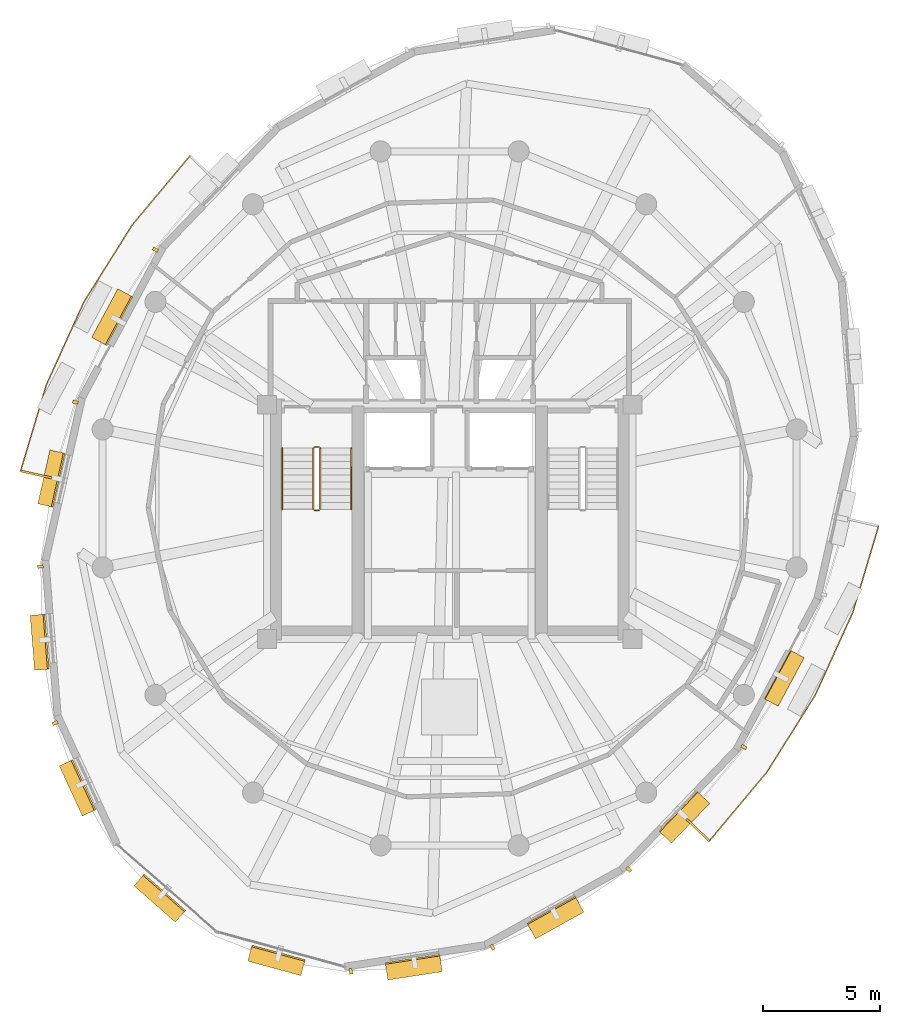
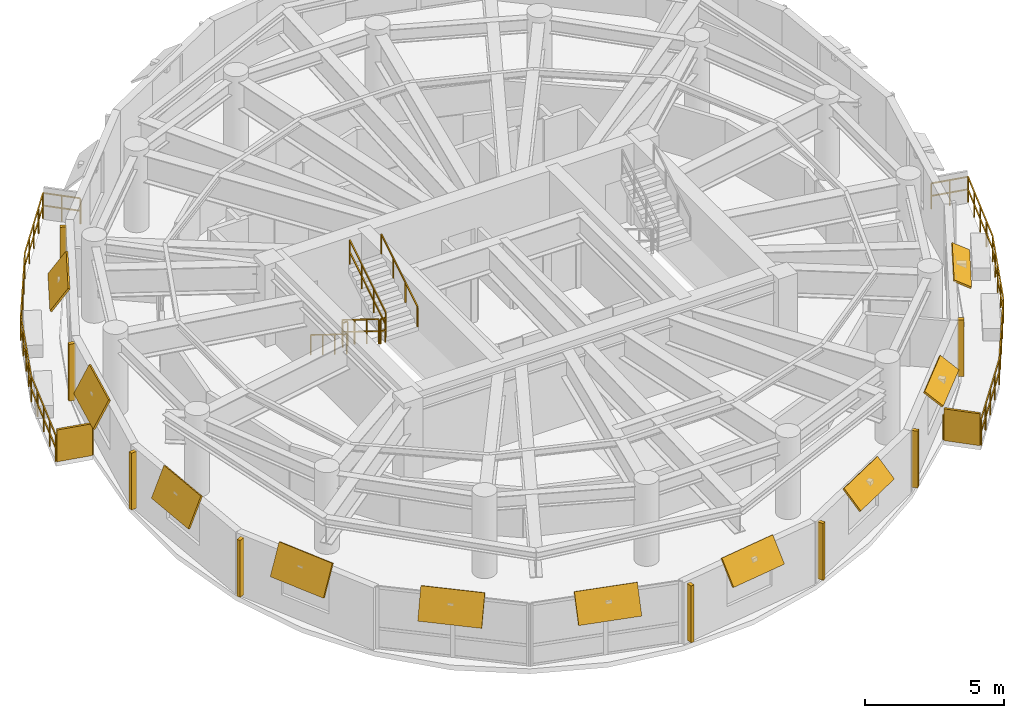
# One storey, part 10 of 11: 20 shading devices, 8 railings.
"""IFC4 building model written with IfcOpenShell, lengths in metres."""

from ifc_helpers import new_model, si_unit, direction, frame, origin, origin_2d, place, context, subcontext, project, spatial, rectangle, extrude, material, layer, layer_set, type_object, element, save


model = new_model("IFC4")

# Units and contexts
model_context = context("Model", 3, precision=1e-05, world=origin(), true_north=direction((0.0, 1.0)))
body_context = subcontext(model_context, "Body", "Model", "MODEL_VIEW")
ifc_project = project(units=[si_unit("LENGTHUNIT", "METRE"), si_unit("AREAUNIT", "SQUARE_METRE"), si_unit("VOLUMEUNIT", "CUBIC_METRE"), si_unit("PLANEANGLEUNIT", "RADIAN"), si_unit("MASSUNIT", "GRAM", prefix="KILO"), si_unit("THERMODYNAMICTEMPERATUREUNIT", "KELVIN"), si_unit("POWERUNIT", "WATT")], contexts=[model_context])

# Site, building, storey
site_placement = place(None, origin())
site = spatial("IfcSite", under=ifc_project, at=site_placement, CompositionType="ELEMENT")
building_placement = place(site_placement, origin())
building = spatial("IfcBuilding", under=site, at=building_placement, Name="Ocrelia Relay Tower", CompositionType="ELEMENT")
storey_placement = place(building_placement, frame((0.0, 0.0, 284.39990234375)))
storey = spatial("IfcBuildingStorey", under=building, at=storey_placement, Name="L71", CompositionType="ELEMENT", Elevation=284.39990234375)

# Railings
ifc_material_1 = material(Name="Steel S355 balustrade", Category="steel")
railing_type_1 = type_object("IfcRailingType", Name="RL-EXT-GUARD-1150", PredefinedType="GUARDRAIL", material=ifc_material_1)
railing_1_placement = place(storey_placement, frame((17.0458984375, 26.869140625, 0.0)))
element("IfcRailing", 1, at=railing_1_placement, inside=storey, type_object=railing_type_1, Name="L71 Loggia Balcony Guard Rail B1", PredefinedType="GUARDRAIL", context=body_context, shape_type="SweptSolid", body=[
    extrude(rectangle(XDim=0.048095703125, YDim=0.048095703125, at=origin_2d()), frame((0.0, 0.0, 1.1259765625), z_axis=(-0.976030129499, 0.217635443597, 0.0), x_axis=(-0.217635443597, -0.976030129499, 0.0)), (0.0, 0.0, 1.0), 1.393310546875),
    extrude(rectangle(XDim=0.048095703125, YDim=0.048095703125, at=origin_2d()), frame((0.0, 0.0, 0.574951171875), z_axis=(-0.976030129499, 0.217635443597, 0.0), x_axis=(-0.217635443597, -0.976030129499, 0.0)), (0.0, 0.0, 1.0), 1.393310546875),
    extrude(rectangle(XDim=0.048095703125, YDim=0.048095703125, at=origin_2d()), frame((-1.35986328125, 0.30322265625, 1.1259765625), z_axis=(0.285866555525, 0.95826943624, 0.0), x_axis=(-0.95826943624, 0.285866555525, 0.0)), (0.0, 0.0, 1.0), 1.920654296875),
    extrude(rectangle(XDim=0.048095703125, YDim=0.048095703125, at=origin_2d()), frame((-1.35986328125, 0.30322265625, 0.574951171875), z_axis=(0.285866555525, 0.95826943624, 0.0), x_axis=(-0.95826943624, 0.285866555525, 0.0)), (0.0, 0.0, 1.0), 1.920654296875),
    extrude(rectangle(XDim=0.048095703125, YDim=0.048095703125, at=origin_2d()), frame((-0.810791015625, 2.143798828125, 1.1259765625), z_axis=(0.285866555525, 0.95826943624, 0.0), x_axis=(-0.95826943624, 0.285866555525, 0.0)), (0.0, 0.0, 1.0), 1.920654296875),
    extrude(rectangle(XDim=0.048095703125, YDim=0.048095703125, at=origin_2d()), frame((-0.810791015625, 2.143798828125, 0.574951171875), z_axis=(0.285866555525, 0.95826943624, 0.0), x_axis=(-0.95826943624, 0.285866555525, 0.0)), (0.0, 0.0, 1.0), 1.920654296875),
    extrude(rectangle(XDim=0.048095703125, YDim=0.048095703125, at=origin_2d()), frame((-0.26171875, 3.984375, 1.1259765625), z_axis=(0.413082558382, 0.910693581816, 0.0), x_axis=(-0.910693581816, 0.413082558382, 0.0)), (0.0, 0.0, 1.0), 3.8818359375),
    extrude(rectangle(XDim=0.048095703125, YDim=0.048095703125, at=origin_2d()), frame((-0.26171875, 3.984375, 0.574951171875), z_axis=(0.413082558382, 0.910693581816, 0.0), x_axis=(-0.910693581816, 0.413082558382, 0.0)), (0.0, 0.0, 1.0), 3.8818359375),
    extrude(rectangle(XDim=0.048095703125, YDim=0.048095703125, at=origin_2d()), frame((1.341796875, 7.51953125, 1.1259765625), z_axis=(0.531411438322, 0.847113854934, 0.0), x_axis=(-0.847113854934, 0.531411438322, 0.0)), (0.0, 0.0, 1.0), 3.882080078125),
    extrude(rectangle(XDim=0.048095703125, YDim=0.048095703125, at=origin_2d()), frame((1.341796875, 7.51953125, 0.574951171875), z_axis=(0.531411438322, 0.847113854934, 0.0), x_axis=(-0.847113854934, 0.531411438322, 0.0)), (0.0, 0.0, 1.0), 3.882080078125),
    extrude(rectangle(XDim=0.048095703125, YDim=0.048095703125, at=origin_2d()), frame((3.40478515625, 10.80810546875, 1.1259765625), z_axis=(0.641309017462, 0.767282701566, 0.0), x_axis=(-0.767282701566, 0.641309017462, 0.0)), (0.0, 0.0, 1.0), 1.920654296875),
    extrude(rectangle(XDim=0.048095703125, YDim=0.048095703125, at=origin_2d()), frame((3.40478515625, 10.80810546875, 0.574951171875), z_axis=(0.641309017462, 0.767282701566, 0.0), x_axis=(-0.767282701566, 0.641309017462, 0.0)), (0.0, 0.0, 1.0), 1.920654296875),
    extrude(rectangle(XDim=0.048095703125, YDim=0.048095703125, at=origin_2d()), frame((4.636474609375, 12.28173828125, 1.1259765625), z_axis=(0.641321302054, 0.76727243371, 0.0), x_axis=(-0.76727243371, 0.641321302054, 0.0)), (0.0, 0.0, 1.0), 1.9208984375),
    extrude(rectangle(XDim=0.048095703125, YDim=0.048095703125, at=origin_2d()), frame((4.636474609375, 12.28173828125, 0.574951171875), z_axis=(0.641321302054, 0.76727243371, 0.0), x_axis=(-0.76727243371, 0.641321302054, 0.0)), (0.0, 0.0, 1.0), 1.9208984375),
    extrude(rectangle(XDim=0.048095703125, YDim=0.048095703125, at=origin_2d()), frame((5.868408203125, 13.755615234375, 1.1259765625), z_axis=(0.720125642555, -0.693843684798, 0.0), x_axis=(0.693843684798, 0.720125642555, 0.0)), (0.0, 0.0, 1.0), 1.393310546875),
    extrude(rectangle(XDim=0.048095703125, YDim=0.048095703125, at=origin_2d()), frame((5.868408203125, 13.755615234375, 0.574951171875), z_axis=(0.720125642555, -0.693843684798, 0.0), x_axis=(0.693843684798, 0.720125642555, 0.0)), (0.0, 0.0, 1.0), 1.393310546875),
    extrude(rectangle(XDim=0.0419921875, YDim=0.0419921875, at=origin_2d()), origin(), (0.0, 0.0, 1.0), 1.101806640625),
    extrude(rectangle(XDim=0.0419921875, YDim=0.0419921875, at=origin_2d()), frame((-0.679931640625, 0.151611328125, 0.0)), (0.0, 0.0, 1.0), 1.101806640625),
    extrude(rectangle(XDim=0.0419921875, YDim=0.0419921875, at=origin_2d()), frame((-1.35986328125, 0.30322265625, 0.0)), (0.0, 0.0, 1.0), 1.101806640625),
    extrude(rectangle(XDim=0.0419921875, YDim=0.0419921875, at=origin_2d()), frame((-1.08544921875, 1.2236328125, 0.0)), (0.0, 0.0, 1.0), 1.101806640625),
    extrude(rectangle(XDim=0.0419921875, YDim=0.0419921875, at=origin_2d()), frame((-0.810791015625, 2.143798828125, 0.0)), (0.0, 0.0, 1.0), 1.101806640625),
    extrude(rectangle(XDim=0.0419921875, YDim=0.0419921875, at=origin_2d()), frame((-0.5361328125, 3.06396484375, 0.0)), (0.0, 0.0, 1.0), 1.101806640625),
    extrude(rectangle(XDim=0.0419921875, YDim=0.0419921875, at=origin_2d()), frame((-0.26171875, 3.984375, 0.0)), (0.0, 0.0, 1.0), 1.101806640625),
    extrude(rectangle(XDim=0.0419921875, YDim=0.0419921875, at=origin_2d()), frame((0.13916015625, 4.8681640625, 0.0)), (0.0, 0.0, 1.0), 1.101806640625),
    extrude(rectangle(XDim=0.0419921875, YDim=0.0419921875, at=origin_2d()), frame((0.5400390625, 5.751953125, 0.0)), (0.0, 0.0, 1.0), 1.101806640625),
    extrude(rectangle(XDim=0.0419921875, YDim=0.0419921875, at=origin_2d()), frame((0.94091796875, 6.6357421875, 0.0)), (0.0, 0.0, 1.0), 1.101806640625),
    extrude(rectangle(XDim=0.0419921875, YDim=0.0419921875, at=origin_2d()), frame((1.341796875, 7.51953125, 0.0)), (0.0, 0.0, 1.0), 1.101806640625),
    extrude(rectangle(XDim=0.0419921875, YDim=0.0419921875, at=origin_2d()), frame((1.857421875, 8.341796875, 0.0)), (0.0, 0.0, 1.0), 1.101806640625),
    extrude(rectangle(XDim=0.0419921875, YDim=0.0419921875, at=origin_2d()), frame((2.373291015625, 9.163818359375, 0.0)), (0.0, 0.0, 1.0), 1.101806640625),
    extrude(rectangle(XDim=0.0419921875, YDim=0.0419921875, at=origin_2d()), frame((2.88916015625, 9.98583984375, 0.0)), (0.0, 0.0, 1.0), 1.101806640625),
    extrude(rectangle(XDim=0.0419921875, YDim=0.0419921875, at=origin_2d()), frame((3.40478515625, 10.80810546875, 0.0)), (0.0, 0.0, 1.0), 1.101806640625),
    extrude(rectangle(XDim=0.0419921875, YDim=0.0419921875, at=origin_2d()), frame((4.0205078125, 11.544921875, 0.0)), (0.0, 0.0, 1.0), 1.101806640625),
    extrude(rectangle(XDim=0.0419921875, YDim=0.0419921875, at=origin_2d()), frame((4.636474609375, 12.28173828125, 0.0)), (0.0, 0.0, 1.0), 1.101806640625),
    extrude(rectangle(XDim=0.0419921875, YDim=0.0419921875, at=origin_2d()), frame((5.25244140625, 13.0185546875, 0.0)), (0.0, 0.0, 1.0), 1.101806640625),
    extrude(rectangle(XDim=0.0419921875, YDim=0.0419921875, at=origin_2d()), frame((5.868408203125, 13.755615234375, 0.0)), (0.0, 0.0, 1.0), 1.101806640625),
    extrude(rectangle(XDim=0.0419921875, YDim=0.0419921875, at=origin_2d()), frame((6.3701171875, 13.272216796875, 0.0)), (0.0, 0.0, 1.0), 1.101806640625),
    extrude(rectangle(XDim=0.0419921875, YDim=0.0419921875, at=origin_2d()), frame((6.871826171875, 12.788818359375, 0.0)), (0.0, 0.0, 1.0), 1.101806640625),
])
railing_2_placement = place(storey_placement, frame((50.9541015625, 25.130859375, 0.0)))
element("IfcRailing", 2, at=railing_2_placement, inside=storey, type_object=railing_type_1, Name="L71 Loggia Balcony Guard Rail B2", PredefinedType="GUARDRAIL", context=body_context, shape_type="SweptSolid", body=[
    extrude(rectangle(XDim=0.048095703125, YDim=0.048095703125, at=origin_2d()), frame((0.0, 0.0, 1.1259765625), z_axis=(0.976030129499, -0.217635443597, 0.0), x_axis=(0.217635443597, 0.976030129499, 0.0)), (0.0, 0.0, 1.0), 1.393310546875),
    extrude(rectangle(XDim=0.048095703125, YDim=0.048095703125, at=origin_2d()), frame((0.0, 0.0, 0.574951171875), z_axis=(0.976030129499, -0.217635443597, 0.0), x_axis=(0.217635443597, 0.976030129499, 0.0)), (0.0, 0.0, 1.0), 1.393310546875),
    extrude(rectangle(XDim=0.048095703125, YDim=0.048095703125, at=origin_2d()), frame((1.35986328125, -0.30322265625, 1.1259765625), z_axis=(-0.285866555525, -0.95826943624, 0.0), x_axis=(0.95826943624, -0.285866555525, 0.0)), (0.0, 0.0, 1.0), 1.920654296875),
    extrude(rectangle(XDim=0.048095703125, YDim=0.048095703125, at=origin_2d()), frame((1.35986328125, -0.30322265625, 0.574951171875), z_axis=(-0.285866555525, -0.95826943624, 0.0), x_axis=(0.95826943624, -0.285866555525, 0.0)), (0.0, 0.0, 1.0), 1.920654296875),
    extrude(rectangle(XDim=0.048095703125, YDim=0.048095703125, at=origin_2d()), frame((0.810791015625, -2.143798828125, 1.1259765625), z_axis=(-0.285866555525, -0.95826943624, 0.0), x_axis=(0.95826943624, -0.285866555525, 0.0)), (0.0, 0.0, 1.0), 1.920654296875),
    extrude(rectangle(XDim=0.048095703125, YDim=0.048095703125, at=origin_2d()), frame((0.810791015625, -2.143798828125, 0.574951171875), z_axis=(-0.285866555525, -0.95826943624, 0.0), x_axis=(0.95826943624, -0.285866555525, 0.0)), (0.0, 0.0, 1.0), 1.920654296875),
    extrude(rectangle(XDim=0.048095703125, YDim=0.048095703125, at=origin_2d()), frame((0.26171875, -3.984375, 1.1259765625), z_axis=(-0.413082558382, -0.910693581816, 0.0), x_axis=(0.910693581816, -0.413082558382, 0.0)), (0.0, 0.0, 1.0), 3.8818359375),
    extrude(rectangle(XDim=0.048095703125, YDim=0.048095703125, at=origin_2d()), frame((0.26171875, -3.984375, 0.574951171875), z_axis=(-0.413082558382, -0.910693581816, 0.0), x_axis=(0.910693581816, -0.413082558382, 0.0)), (0.0, 0.0, 1.0), 3.8818359375),
    extrude(rectangle(XDim=0.048095703125, YDim=0.048095703125, at=origin_2d()), frame((-1.341796875, -7.51953125, 1.1259765625), z_axis=(-0.531411438322, -0.847113854934, 0.0), x_axis=(0.847113854934, -0.531411438322, 0.0)), (0.0, 0.0, 1.0), 3.882080078125),
    extrude(rectangle(XDim=0.048095703125, YDim=0.048095703125, at=origin_2d()), frame((-1.341796875, -7.51953125, 0.574951171875), z_axis=(-0.531411438322, -0.847113854934, 0.0), x_axis=(0.847113854934, -0.531411438322, 0.0)), (0.0, 0.0, 1.0), 3.882080078125),
    extrude(rectangle(XDim=0.048095703125, YDim=0.048095703125, at=origin_2d()), frame((-3.40478515625, -10.80810546875, 1.1259765625), z_axis=(-0.641309017462, -0.767282701566, 0.0), x_axis=(0.767282701566, -0.641309017462, 0.0)), (0.0, 0.0, 1.0), 1.920654296875),
    extrude(rectangle(XDim=0.048095703125, YDim=0.048095703125, at=origin_2d()), frame((-3.40478515625, -10.80810546875, 0.574951171875), z_axis=(-0.641309017462, -0.767282701566, 0.0), x_axis=(0.767282701566, -0.641309017462, 0.0)), (0.0, 0.0, 1.0), 1.920654296875),
    extrude(rectangle(XDim=0.048095703125, YDim=0.048095703125, at=origin_2d()), frame((-4.636474609375, -12.28173828125, 1.1259765625), z_axis=(-0.641321302054, -0.76727243371, 0.0), x_axis=(0.76727243371, -0.641321302054, 0.0)), (0.0, 0.0, 1.0), 1.9208984375),
    extrude(rectangle(XDim=0.048095703125, YDim=0.048095703125, at=origin_2d()), frame((-4.636474609375, -12.28173828125, 0.574951171875), z_axis=(-0.641321302054, -0.76727243371, 0.0), x_axis=(0.76727243371, -0.641321302054, 0.0)), (0.0, 0.0, 1.0), 1.9208984375),
    extrude(rectangle(XDim=0.048095703125, YDim=0.048095703125, at=origin_2d()), frame((-5.868408203125, -13.755615234375, 1.1259765625), z_axis=(-0.720125642555, 0.693843684798, 0.0), x_axis=(-0.693843684798, -0.720125642555, 0.0)), (0.0, 0.0, 1.0), 1.393310546875),
    extrude(rectangle(XDim=0.048095703125, YDim=0.048095703125, at=origin_2d()), frame((-5.868408203125, -13.755615234375, 0.574951171875), z_axis=(-0.720125642555, 0.693843684798, 0.0), x_axis=(-0.693843684798, -0.720125642555, 0.0)), (0.0, 0.0, 1.0), 1.393310546875),
    extrude(rectangle(XDim=0.0419921875, YDim=0.0419921875, at=origin_2d()), origin(), (0.0, 0.0, 1.0), 1.101806640625),
    extrude(rectangle(XDim=0.0419921875, YDim=0.0419921875, at=origin_2d()), frame((0.679931640625, -0.151611328125, 0.0)), (0.0, 0.0, 1.0), 1.101806640625),
    extrude(rectangle(XDim=0.0419921875, YDim=0.0419921875, at=origin_2d()), frame((1.35986328125, -0.30322265625, 0.0)), (0.0, 0.0, 1.0), 1.101806640625),
    extrude(rectangle(XDim=0.0419921875, YDim=0.0419921875, at=origin_2d()), frame((1.08544921875, -1.2236328125, 0.0)), (0.0, 0.0, 1.0), 1.101806640625),
    extrude(rectangle(XDim=0.0419921875, YDim=0.0419921875, at=origin_2d()), frame((0.810791015625, -2.143798828125, 0.0)), (0.0, 0.0, 1.0), 1.101806640625),
    extrude(rectangle(XDim=0.0419921875, YDim=0.0419921875, at=origin_2d()), frame((0.5361328125, -3.06396484375, 0.0)), (0.0, 0.0, 1.0), 1.101806640625),
    extrude(rectangle(XDim=0.0419921875, YDim=0.0419921875, at=origin_2d()), frame((0.26171875, -3.984375, 0.0)), (0.0, 0.0, 1.0), 1.101806640625),
    extrude(rectangle(XDim=0.0419921875, YDim=0.0419921875, at=origin_2d()), frame((-0.13916015625, -4.8681640625, 0.0)), (0.0, 0.0, 1.0), 1.101806640625),
    extrude(rectangle(XDim=0.0419921875, YDim=0.0419921875, at=origin_2d()), frame((-0.5400390625, -5.751953125, 0.0)), (0.0, 0.0, 1.0), 1.101806640625),
    extrude(rectangle(XDim=0.0419921875, YDim=0.0419921875, at=origin_2d()), frame((-0.94091796875, -6.6357421875, 0.0)), (0.0, 0.0, 1.0), 1.101806640625),
    extrude(rectangle(XDim=0.0419921875, YDim=0.0419921875, at=origin_2d()), frame((-1.341796875, -7.51953125, 0.0)), (0.0, 0.0, 1.0), 1.101806640625),
    extrude(rectangle(XDim=0.0419921875, YDim=0.0419921875, at=origin_2d()), frame((-1.857421875, -8.341796875, 0.0)), (0.0, 0.0, 1.0), 1.101806640625),
    extrude(rectangle(XDim=0.0419921875, YDim=0.0419921875, at=origin_2d()), frame((-2.373291015625, -9.163818359375, 0.0)), (0.0, 0.0, 1.0), 1.101806640625),
    extrude(rectangle(XDim=0.0419921875, YDim=0.0419921875, at=origin_2d()), frame((-2.88916015625, -9.98583984375, 0.0)), (0.0, 0.0, 1.0), 1.101806640625),
    extrude(rectangle(XDim=0.0419921875, YDim=0.0419921875, at=origin_2d()), frame((-3.40478515625, -10.80810546875, 0.0)), (0.0, 0.0, 1.0), 1.101806640625),
    extrude(rectangle(XDim=0.0419921875, YDim=0.0419921875, at=origin_2d()), frame((-4.0205078125, -11.544921875, 0.0)), (0.0, 0.0, 1.0), 1.101806640625),
    extrude(rectangle(XDim=0.0419921875, YDim=0.0419921875, at=origin_2d()), frame((-4.636474609375, -12.28173828125, 0.0)), (0.0, 0.0, 1.0), 1.101806640625),
    extrude(rectangle(XDim=0.0419921875, YDim=0.0419921875, at=origin_2d()), frame((-5.25244140625, -13.0185546875, 0.0)), (0.0, 0.0, 1.0), 1.101806640625),
    extrude(rectangle(XDim=0.0419921875, YDim=0.0419921875, at=origin_2d()), frame((-5.868408203125, -13.755615234375, 0.0)), (0.0, 0.0, 1.0), 1.101806640625),
    extrude(rectangle(XDim=0.0419921875, YDim=0.0419921875, at=origin_2d()), frame((-6.3701171875, -13.272216796875, 0.0)), (0.0, 0.0, 1.0), 1.101806640625),
    extrude(rectangle(XDim=0.0419921875, YDim=0.0419921875, at=origin_2d()), frame((-6.871826171875, -12.788818359375, 0.0)), (0.0, 0.0, 1.0), 1.101806640625),
])
railing_type_2 = type_object("IfcRailingType", Name="RL-STAIR-GUARD", PredefinedType="GUARDRAIL", material=ifc_material_1)
railing_3_placement = place(storey_placement, frame((28.179931640625, 28.14990234375, 0.18017578125)))
element("IfcRailing", 3, at=railing_3_placement, inside=storey, type_object=railing_type_2, Name="L71 ST1 stair guard 1", PredefinedType="GUARDRAIL", context=body_context, shape_type="SweptSolid", body=[
    extrude(rectangle(XDim=0.048095703125, YDim=0.048095703125, at=origin_2d()), frame((0.0, 0.0, 1.076171875), z_axis=(0.0, -0.849646306263, 0.527352969322), x_axis=(1.0, 0.0, 0.0)), (0.0, 0.0, 1.0), 3.07177734375),
    extrude(rectangle(XDim=0.048095703125, YDim=0.048095703125, at=origin_2d()), frame((0.0, 0.0, 0.550048828125), z_axis=(0.0, -0.849646306263, 0.527352969322), x_axis=(1.0, 0.0, 0.0)), (0.0, 0.0, 1.0), 3.07177734375),
    extrude(rectangle(XDim=0.0419921875, YDim=0.0419921875, at=origin_2d()), origin(), (0.0, 0.0, 1.0), 1.052001953125),
    extrude(rectangle(XDim=0.0419921875, YDim=0.0419921875, at=origin_2d()), frame((0.0, -0.869873046875, 0.5400390625)), (0.0, 0.0, 1.0), 1.052001953125),
    extrude(rectangle(XDim=0.0419921875, YDim=0.0419921875, at=origin_2d()), frame((0.0, -1.739990234375, 1.079833984375)), (0.0, 0.0, 1.0), 1.052001953125),
    extrude(rectangle(XDim=0.0419921875, YDim=0.0419921875, at=origin_2d()), frame((0.0, -2.60986328125, 1.619873046875)), (0.0, 0.0, 1.0), 1.052001953125),
])
railing_4_placement = place(storey_placement, frame((28.22998046875, 25.489990234375, 1.800048828125)))
element("IfcRailing", 4, at=railing_4_placement, inside=storey, type_object=railing_type_2, Name="L71 ST1 stair guard 2", PredefinedType="GUARDRAIL", context=body_context, shape_type="SweptSolid", body=[
    extrude(rectangle(XDim=0.048095703125, YDim=0.048095703125, at=origin_2d()), frame((0.0, 0.0, 1.076171875), z_axis=(1.0, 0.0, 0.0), x_axis=(0.0, 1.0, 0.0)), (0.0, 0.0, 1.0), 0.199951171875),
    extrude(rectangle(XDim=0.048095703125, YDim=0.048095703125, at=origin_2d()), frame((0.0, 0.0, 0.550048828125), z_axis=(1.0, 0.0, 0.0), x_axis=(0.0, 1.0, 0.0)), (0.0, 0.0, 1.0), 0.199951171875),
    extrude(rectangle(XDim=0.0419921875, YDim=0.0419921875, at=origin_2d()), origin(), (0.0, 0.0, 1.0), 1.052001953125),
    extrude(rectangle(XDim=0.0419921875, YDim=0.0419921875, at=origin_2d()), frame((0.199951171875, 0.0, 0.0)), (0.0, 0.0, 1.0), 1.052001953125),
])
railing_5_placement = place(storey_placement, frame((28.47998046875, 25.5400390625, 1.97998046875)))
element("IfcRailing", 5, at=railing_5_placement, inside=storey, type_object=railing_type_2, Name="L71 ST1 stair guard 3", PredefinedType="GUARDRAIL", context=body_context, shape_type="SweptSolid", body=[
    extrude(rectangle(XDim=0.048095703125, YDim=0.048095703125, at=origin_2d()), frame((0.0, 0.0, 1.076171875), z_axis=(0.0, 0.849610693518, 0.52741034258), x_axis=(-1.0, 0.0, 0.0)), (0.0, 0.0, 1.0), 3.07177734375),
    extrude(rectangle(XDim=0.048095703125, YDim=0.048095703125, at=origin_2d()), frame((0.0, 0.0, 0.550048828125), z_axis=(0.0, 0.849610693518, 0.52741034258), x_axis=(-1.0, 0.0, 0.0)), (0.0, 0.0, 1.0), 3.07177734375),
    extrude(rectangle(XDim=0.0419921875, YDim=0.0419921875, at=origin_2d()), origin(), (0.0, 0.0, 1.0), 1.052001953125),
    extrude(rectangle(XDim=0.0419921875, YDim=0.0419921875, at=origin_2d()), frame((0.0, 0.869873046875, 0.5400390625)), (0.0, 0.0, 1.0), 1.052001953125),
    extrude(rectangle(XDim=0.0419921875, YDim=0.0419921875, at=origin_2d()), frame((0.0, 1.739990234375, 1.080078125)), (0.0, 0.0, 1.0), 1.052001953125),
    extrude(rectangle(XDim=0.0419921875, YDim=0.0419921875, at=origin_2d()), frame((0.0, 2.60986328125, 1.6201171875)), (0.0, 0.0, 1.0), 1.052001953125),
])
railing_6_placement = place(storey_placement, frame((28.22998046875, 28.199951171875, 0.0)))
element("IfcRailing", 6, at=railing_6_placement, inside=storey, type_object=railing_type_2, Name="L71 ST1 stair guard 4", PredefinedType="GUARDRAIL", context=body_context, shape_type="SweptSolid", body=[
    extrude(rectangle(XDim=0.048095703125, YDim=0.048095703125, at=origin_2d()), frame((0.0, 0.0, 1.076171875), z_axis=(1.0, 0.0, 0.0), x_axis=(0.0, 1.0, 0.0)), (0.0, 0.0, 1.0), 0.199951171875),
    extrude(rectangle(XDim=0.048095703125, YDim=0.048095703125, at=origin_2d()), frame((0.0, 0.0, 0.550048828125), z_axis=(1.0, 0.0, 0.0), x_axis=(0.0, 1.0, 0.0)), (0.0, 0.0, 1.0), 0.199951171875),
    extrude(rectangle(XDim=0.0419921875, YDim=0.0419921875, at=origin_2d()), origin(), (0.0, 0.0, 1.0), 1.052001953125),
    extrude(rectangle(XDim=0.0419921875, YDim=0.0419921875, at=origin_2d()), frame((0.199951171875, 0.0, 0.0)), (0.0, 0.0, 1.0), 1.052001953125),
])
ifc_material_2 = material(Name="Steel S355 tubular handrail", Category="steel")
railing_type_3 = type_object("IfcRailingType", Name="RL-STAIR-HAND", PredefinedType="HANDRAIL", material=ifc_material_2)
railing_7_placement = place(storey_placement, frame((26.860107421875, 28.14990234375, 0.18017578125)))
element("IfcRailing", 7, at=railing_7_placement, inside=storey, type_object=railing_type_3, Name="L71 ST1 stair handrail 1", PredefinedType="HANDRAIL", context=body_context, shape_type="SweptSolid", body=[
    extrude(rectangle(XDim=0.048095703125, YDim=0.048095703125, at=origin_2d()), frame((0.0, 0.0, 0.8759765625), z_axis=(0.0, -0.849646306263, 0.527352969322), x_axis=(1.0, 0.0, 0.0)), (0.0, 0.0, 1.0), 3.07177734375),
    extrude(rectangle(XDim=0.0419921875, YDim=0.0419921875, at=origin_2d()), origin(), (0.0, 0.0, 1.0), 0.851806640625),
    extrude(rectangle(XDim=0.0419921875, YDim=0.0419921875, at=origin_2d()), frame((0.0, -0.869873046875, 0.5400390625)), (0.0, 0.0, 1.0), 0.851806640625),
    extrude(rectangle(XDim=0.0419921875, YDim=0.0419921875, at=origin_2d()), frame((0.0, -1.739990234375, 1.079833984375)), (0.0, 0.0, 1.0), 0.851806640625),
    extrude(rectangle(XDim=0.0419921875, YDim=0.0419921875, at=origin_2d()), frame((0.0, -2.60986328125, 1.619873046875)), (0.0, 0.0, 1.0), 0.851806640625),
])
railing_8_placement = place(storey_placement, frame((29.800048828125, 25.5400390625, 1.97998046875)))
element("IfcRailing", 8, at=railing_8_placement, inside=storey, type_object=railing_type_3, Name="L71 ST1 stair handrail 2", PredefinedType="HANDRAIL", context=body_context, shape_type="SweptSolid", body=[
    extrude(rectangle(XDim=0.048095703125, YDim=0.048095703125, at=origin_2d()), frame((0.0, 0.0, 0.8759765625), z_axis=(0.0, 0.849610693518, 0.52741034258), x_axis=(-1.0, 0.0, 0.0)), (0.0, 0.0, 1.0), 3.07177734375),
    extrude(rectangle(XDim=0.0419921875, YDim=0.0419921875, at=origin_2d()), origin(), (0.0, 0.0, 1.0), 0.851806640625),
    extrude(rectangle(XDim=0.0419921875, YDim=0.0419921875, at=origin_2d()), frame((0.0, 0.869873046875, 0.5400390625)), (0.0, 0.0, 1.0), 0.851806640625),
    extrude(rectangle(XDim=0.0419921875, YDim=0.0419921875, at=origin_2d()), frame((0.0, 1.739990234375, 1.080078125)), (0.0, 0.0, 1.0), 0.851806640625),
    extrude(rectangle(XDim=0.0419921875, YDim=0.0419921875, at=origin_2d()), frame((0.0, 2.60986328125, 1.6201171875)), (0.0, 0.0, 1.0), 0.851806640625),
])

# Shading devices
ifc_material_3 = material(Name="Perforated oxide terracotta solar screen", Category="masonry")
ifc_layer_1 = layer(ifc_material_3, 0.090087890625, Name="Perforated oxide terracotta solar screen")
ifc_layer_set_1 = layer_set([ifc_layer_1], Name="Perforated oxide terracotta solar screen")
shading_device_type_1 = type_object("IfcShadingDeviceType", Name="SH-BALC-SCREEN", PredefinedType="USERDEFINED", material=ifc_layer_set_1)
for number, where, z_axis, x_axis, name in (
    (9, (16.365966796875, 27.020751953125, 0.000244140625), (0.0, 0.0, 1.0), (-0.976038230172, 0.217599111309, 0.0), "L71 Balcony Perforated Terracotta Screen B1-2"),
    (10, (44.583984375, 11.858642578125, 0.000244140625), (0.0, 0.0, 1.0), (0.72015286212, -0.69381543308, 0.0), "L71 Balcony Perforated Terracotta Screen B2-1"),
):
    element("IfcShadingDevice", number, at=place(storey_placement, frame(where, z_axis=z_axis, x_axis=x_axis)), inside=storey, type_object=shading_device_type_1, Name=name, ObjectType="SCREEN", PredefinedType="USERDEFINED", context=body_context, shape_type="SweptSolid", body=[
        extrude(rectangle(XDim=1.340087890625, YDim=0.090087890625, at=origin_2d()), origin(), (0.0, 0.0, 1.0), 1.39990234375),
    ])
ifc_material_4 = material(Name="Extruded oxide terracotta vertical baguette", Category="masonry")
shading_device_type_2 = type_object("IfcShadingDeviceType", Name="SH-TERR-BAGUETTE", PredefinedType="USERDEFINED", material=ifc_material_4)
for number, where, z_axis, x_axis, name in (
    (11, (21.44287109375, 36.6142578125, 0.114990234375), (0.0, 0.0, 1.0), (-0.473318776589, -0.880891216739, 0.0), "L71 Oxide Terracotta Vertical Baguette 05"),
    (12, (18.030029296875, 30.108642578125, 0.114990234375), (0.0, 0.0, 1.0), (-0.219135278273, -0.9756944859, 0.0), "L71 Oxide Terracotta Vertical Baguette 06"),
    (13, (16.53759765625, 23.0927734375, 0.114990234375), (0.0, 0.0, 1.0), (0.078517453082, -0.996912739191, 0.0), "L71 Oxide Terracotta Vertical Baguette 07"),
    (14, (17.1611328125, 16.4130859375, 0.114990234375), (0.0, 0.0, 1.0), (0.418943101499, -0.908012487638, 0.0), "L71 Oxide Terracotta Vertical Baguette 08"),
    (15, (29.782470703125, 5.819580078125, 0.114990234375), (0.0, 0.0, 1.0), (0.988410951389, 0.151801815449, 0.0), "L71 Oxide Terracotta Vertical Baguette 11"),
    (16, (35.823486328125, 6.845947265625, 0.114990234375), (0.0, 0.0, 1.0), (0.874648895367, 0.484756959551, 0.0), "L71 Oxide Terracotta Vertical Baguette 12"),
    (17, (41.64453125, 10.164794921875, 0.114990234375), (0.0, 0.0, 1.0), (0.692662002718, 0.721262330911, 0.0), "L71 Oxide Terracotta Vertical Baguette 13"),
    (18, (46.55712890625, 15.3857421875, 0.114990234375), (0.0, 0.0, 1.0), (0.473318776589, 0.880891216739, 0.0), "L71 Oxide Terracotta Vertical Baguette 14"),
):
    element("IfcShadingDevice", number, at=place(storey_placement, frame(where, z_axis=z_axis, x_axis=x_axis)), inside=storey, type_object=shading_device_type_2, Name=name, ObjectType="BAGUETTE", PredefinedType="USERDEFINED", context=body_context, shape_type="SweptSolid", body=[
        extrude(rectangle(XDim=0.139892578125, YDim=0.239990234375, at=origin_2d()), origin(), (0.0, 0.0, 1.0), 2.5),
    ])
ifc_material_5 = material(Name="Extruded oxide terracotta fin", Category="masonry")
ifc_layer_2 = layer(ifc_material_5, 0.080078125, Name="Extruded oxide terracotta fin")
ifc_layer_set_2 = layer_set([ifc_layer_2], Name="Extruded oxide terracotta fin")
shading_device_type_3 = type_object("IfcShadingDeviceType", Name="SH-VISOR-FIN-DEEP", PredefinedType="USERDEFINED", material=ifc_layer_set_2)
shading_device_1_placement = place(storey_placement, frame((19.628173828125, 33.72216796875, 2.5478515625), z_axis=(-0.733372502729, 0.394054304527, 0.55397290306), x_axis=(-0.473318776589, -0.880891216739, 0.0)))
element("IfcShadingDevice", 19, at=shading_device_1_placement, inside=storey, type_object=shading_device_type_3, Name="L71 Canted Terracotta Sun-Visor Fin 05", ObjectType="FIN", PredefinedType="USERDEFINED", context=body_context, shape_type="SweptSolid", body=[
    extrude(rectangle(XDim=2.35009765625, YDim=1.18896484375, at=origin_2d()), origin(), (0.0, 0.0, 1.0), 0.080078125),
])
shading_device_2_placement = place(storey_placement, frame((17.037841796875, 26.839599609375, 2.552001953125), z_axis=(-0.871044568801, 0.195631518607, 0.450565941999), x_axis=(-0.219135278273, -0.9756944859, 0.0)))
element("IfcShadingDevice", 20, at=shading_device_2_placement, inside=storey, type_object=shading_device_type_3, Name="L71 Canted Terracotta Sun-Visor Fin 06", ObjectType="FIN", PredefinedType="USERDEFINED", context=body_context, shape_type="SweptSolid", body=[
    extrude(rectangle(XDim=2.35009765625, YDim=1.303955078125, at=origin_2d()), origin(), (0.0, 0.0, 1.0), 0.080078125),
])
shading_device_3_placement = place(storey_placement, frame((16.5380859375, 19.86376953125, 2.5537109375), z_axis=(-0.909873870435, -0.071662218892, 0.408649074736), x_axis=(0.078517453082, -0.996912739191, 0.0)))
element("IfcShadingDevice", 21, at=shading_device_3_placement, inside=storey, type_object=shading_device_type_3, Name="L71 Canted Terracotta Sun-Visor Fin 07", ObjectType="FIN", PredefinedType="USERDEFINED", context=body_context, shape_type="SweptSolid", body=[
    extrude(rectangle(XDim=2.35009765625, YDim=1.347900390625, at=origin_2d()), origin(), (0.0, 0.0, 1.0), 0.080078125),
])
shading_device_4_placement = place(storey_placement, frame((18.149658203125, 13.661865234375, 2.553466796875), z_axis=(-0.825597741226, -0.380918195519, 0.41628079226), x_axis=(0.418943101499, -0.908012487638, 0.0)))
element("IfcShadingDevice", 22, at=shading_device_4_placement, inside=storey, type_object=shading_device_type_3, Name="L71 Canted Terracotta Sun-Visor Fin 08", ObjectType="FIN", PredefinedType="USERDEFINED", context=body_context, shape_type="SweptSolid", body=[
    extrude(rectangle(XDim=2.35009765625, YDim=1.340087890625, at=origin_2d()), origin(), (0.0, 0.0, 1.0), 0.080078125),
])
shading_device_5_placement = place(storey_placement, frame((21.650634765625, 8.96484375, 2.5517578125), z_axis=(-0.586815012413, -0.670267331407, 0.454301492025), x_axis=(0.752392477075, -0.658715082901, 0.0)))
element("IfcShadingDevice", 23, at=shading_device_5_placement, inside=storey, type_object=shading_device_type_3, Name="L71 Canted Terracotta Sun-Visor Fin 09", ObjectType="FIN", PredefinedType="USERDEFINED", context=body_context, shape_type="SweptSolid", body=[
    extrude(rectangle(XDim=2.35009765625, YDim=1.300048828125, at=origin_2d()), origin(), (0.0, 0.0, 1.0), 0.080078125),
])
shading_device_6_placement = place(storey_placement, frame((26.61669921875, 6.315185546875, 2.549560546875), z_axis=(-0.226451744068, -0.82792288881, 0.51309189995), x_axis=(0.96456996895, -0.263827168806, 0.0)))
element("IfcShadingDevice", 24, at=shading_device_6_placement, inside=storey, type_object=shading_device_type_3, Name="L71 Canted Terracotta Sun-Visor Fin 10", ObjectType="FIN", PredefinedType="USERDEFINED", context=body_context, shape_type="SweptSolid", body=[
    extrude(rectangle(XDim=2.35009765625, YDim=1.236083984375, at=origin_2d()), origin(), (0.0, 0.0, 1.0), 0.080078125),
])
ifc_layer_3 = layer(ifc_material_5, 0.080078125, Name="Extruded oxide terracotta fin")
ifc_layer_set_3 = layer_set([ifc_layer_3], Name="Extruded oxide terracotta fin")
shading_device_type_4 = type_object("IfcShadingDeviceType", Name="SH-VISOR-FIN-MED", PredefinedType="USERDEFINED", material=ifc_layer_set_3)
shading_device_7_placement = place(storey_placement, frame((32.464599609375, 6.023193359375, 2.54638671875), z_axis=(0.122451080334, -0.797302643937, 0.591028110073), x_axis=(0.988410951389, 0.151801815449, 0.0)))
element("IfcShadingDevice", 25, at=shading_device_7_placement, inside=storey, type_object=shading_device_type_4, Name="L71 Canted Terracotta Sun-Visor Fin 11", ObjectType="FIN", PredefinedType="USERDEFINED", context=body_context, shape_type="SweptSolid", body=[
    extrude(rectangle(XDim=2.35009765625, YDim=1.14599609375, at=origin_2d()), origin(), (0.0, 0.0, 1.0), 0.080078125),
])
shading_device_8_placement = place(storey_placement, frame((38.50244140625, 8.1328125, 2.54248046875), z_axis=(0.351688508234, -0.634552963458, 0.688227963499), x_axis=(0.874648895367, 0.484756959551, 0.0)))
element("IfcShadingDevice", 26, at=shading_device_8_placement, inside=storey, type_object=shading_device_type_4, Name="L71 Canted Terracotta Sun-Visor Fin 12", ObjectType="FIN", PredefinedType="USERDEFINED", context=body_context, shape_type="SweptSolid", body=[
    extrude(rectangle(XDim=2.35009765625, YDim=1.02490234375, at=origin_2d()), origin(), (0.0, 0.0, 1.0), 0.080078125),
])
shading_device_9_placement = place(storey_placement, frame((43.99853515625, 12.40869140625, 2.5380859375), z_axis=(0.436776133972, -0.41945658151, 0.795790666583), x_axis=(0.692662002718, 0.721262330911, 0.0)))
element("IfcShadingDevice", 27, at=shading_device_9_placement, inside=storey, type_object=shading_device_type_4, Name="L71 Canted Terracotta Sun-Visor Fin 13", ObjectType="FIN", PredefinedType="USERDEFINED", context=body_context, shape_type="SweptSolid", body=[
    extrude(rectangle(XDim=2.35009765625, YDim=0.87109375, at=origin_2d()), origin(), (0.0, 0.0, 1.0), 0.080078125),
])
ifc_layer_4 = layer(ifc_material_5, 0.080078125, Name="Extruded oxide terracotta fin")
ifc_layer_set_4 = layer_set([ifc_layer_4], Name="Extruded oxide terracotta fin")
shading_device_type_5 = type_object("IfcShadingDeviceType", Name="SH-VISOR-FIN-SHAL", PredefinedType="USERDEFINED", material=ifc_layer_set_4)
shading_device_10_placement = place(storey_placement, frame((48.266845703125, 18.334228515625, 2.53466796875), z_axis=(0.408658304367, -0.219579495164, 0.885879921646), x_axis=(0.473318776589, 0.880891216739, 0.0)))
element("IfcShadingDevice", 28, at=shading_device_10_placement, inside=storey, type_object=shading_device_type_5, Name="L71 Canted Terracotta Sun-Visor Fin 14", ObjectType="FIN", PredefinedType="USERDEFINED", context=body_context, shape_type="SweptSolid", body=[
    extrude(rectangle(XDim=2.35009765625, YDim=0.7109375, at=origin_2d()), origin(), (0.0, 0.0, 1.0), 0.080078125),
])

save(model, "model.ifc")
